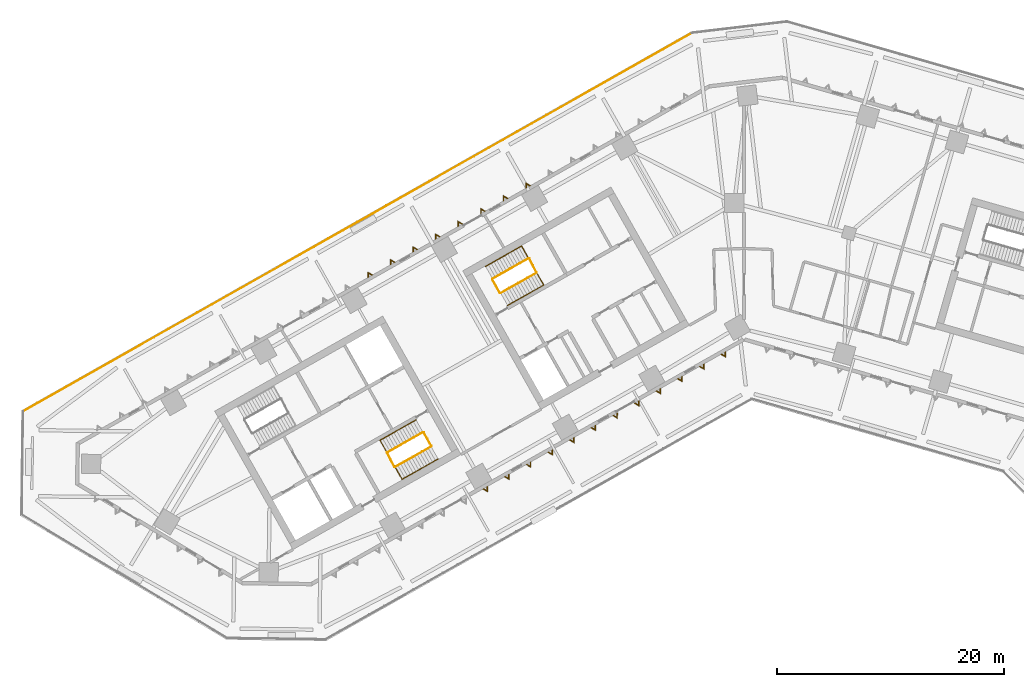
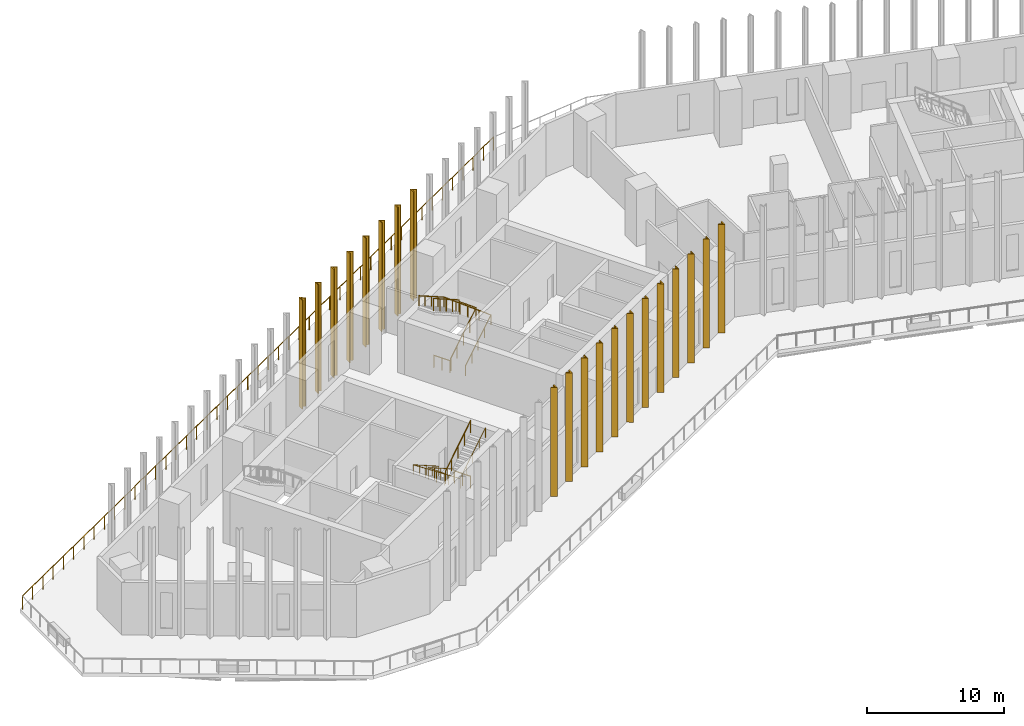
# One storey, part 13 of 17: 20 shading devices, 9 railings.
"""IFC4 building model written with IfcOpenShell, lengths in metres."""

from ifc_helpers import new_model, si_unit, direction, frame, origin, origin_2d, place, context, subcontext, project, spatial, polyline, circle, outline, extrude, material, type_object, element, save


model = new_model("IFC4")

# Units and contexts
model_context = context("Model", 3, precision=1e-05, world=origin(), true_north=direction((0.0, 1.0)))
body_context = subcontext(model_context, "Body", "Model", "MODEL_VIEW")
ifc_project = project(units=[si_unit("LENGTHUNIT", "METRE"), si_unit("AREAUNIT", "SQUARE_METRE"), si_unit("VOLUMEUNIT", "CUBIC_METRE"), si_unit("PLANEANGLEUNIT", "RADIAN"), si_unit("MASSUNIT", "GRAM", prefix="KILO")], contexts=[model_context])

# Site, building, storey
site_placement = place(None, origin())
site = spatial("IfcSite", under=ifc_project, at=site_placement, CompositionType="ELEMENT")
building_placement = place(site_placement, origin())
building = spatial("IfcBuilding", under=site, at=building_placement, Name="Binnacle Exchange Tower", CompositionType="ELEMENT")
storey_placement = place(building_placement, frame((0.0, 0.0, 26.5)))
storey = spatial("IfcBuildingStorey", under=building, at=storey_placement, Name="L05", CompositionType="ELEMENT", Elevation=26.5)

# Railings
ifc_material_1 = material(Name="Bronze anodised aluminium frame", Category="aluminium")
railing_type_1 = type_object("IfcRailingType", Name="GUARD 1200", PredefinedType="GUARDRAIL", material=ifc_material_1)
railing_1_placement = place(storey_placement, frame((-4.585205078125, 74.978271484375, 0.0)))
element("IfcRailing", 1, at=railing_1_placement, inside=storey, type_object=railing_type_1, Name="Terrace guard 4 Terrace P", PredefinedType="GUARDRAIL", context=body_context, shape_type="SweptSolid", body=[
    extrude(circle(Radius=0.02392578125, at=origin_2d()), frame((0.0, 0.0, 1.17578125), z_axis=(-0.870355469995, -0.492423959459, 0.0), x_axis=(0.492423959459, -0.870355469995, 0.0)), (0.0, 0.0, 1.0), 67.6708984375),
    extrude(circle(Radius=0.02099609375, at=origin_2d()), origin(), (0.0, 0.0, 1.0), 1.15185546875),
    extrude(circle(Radius=0.02099609375, at=origin_2d()), frame((-1.2802734375, -0.724365234375, 0.0)), (0.0, 0.0, 1.0), 1.15185546875),
    extrude(circle(Radius=0.02099609375, at=origin_2d()), frame((-2.560791015625, -1.44873046875, 0.0)), (0.0, 0.0, 1.0), 1.15185546875),
    extrude(circle(Radius=0.02099609375, at=origin_2d()), frame((-3.841064453125, -2.17333984375, 0.0)), (0.0, 0.0, 1.0), 1.15185546875),
    extrude(circle(Radius=0.02099609375, at=origin_2d()), frame((-5.12158203125, -2.897705078125, 0.0)), (0.0, 0.0, 1.0), 1.15185546875),
    extrude(circle(Radius=0.02099609375, at=origin_2d()), frame((-6.40185546875, -3.6220703125, 0.0)), (0.0, 0.0, 1.0), 1.15185546875),
    extrude(circle(Radius=0.02099609375, at=origin_2d()), frame((-7.682373046875, -4.346435546875, 0.0)), (0.0, 0.0, 1.0), 1.15185546875),
    extrude(circle(Radius=0.02099609375, at=origin_2d()), frame((-8.962646484375, -5.07080078125, 0.0)), (0.0, 0.0, 1.0), 1.15185546875),
    extrude(circle(Radius=0.02099609375, at=origin_2d()), frame((-10.2431640625, -5.795166015625, 0.0)), (0.0, 0.0, 1.0), 1.15185546875),
    extrude(circle(Radius=0.02099609375, at=origin_2d()), frame((-11.5234375, -6.519775390625, 0.0)), (0.0, 0.0, 1.0), 1.15185546875),
    extrude(circle(Radius=0.02099609375, at=origin_2d()), frame((-12.803955078125, -7.244140625, 0.0)), (0.0, 0.0, 1.0), 1.15185546875),
    extrude(circle(Radius=0.02099609375, at=origin_2d()), frame((-14.084228515625, -7.968505859375, 0.0)), (0.0, 0.0, 1.0), 1.15185546875),
    extrude(circle(Radius=0.02099609375, at=origin_2d()), frame((-15.364501953125, -8.69287109375, 0.0)), (0.0, 0.0, 1.0), 1.15185546875),
    extrude(circle(Radius=0.02099609375, at=origin_2d()), frame((-16.64501953125, -9.417236328125, 0.0)), (0.0, 0.0, 1.0), 1.15185546875),
    extrude(circle(Radius=0.02099609375, at=origin_2d()), frame((-17.92529296875, -10.1416015625, 0.0)), (0.0, 0.0, 1.0), 1.15185546875),
    extrude(circle(Radius=0.02099609375, at=origin_2d()), frame((-19.205810546875, -10.8662109375, 0.0)), (0.0, 0.0, 1.0), 1.15185546875),
    extrude(circle(Radius=0.02099609375, at=origin_2d()), frame((-20.486083984375, -11.590576171875, 0.0)), (0.0, 0.0, 1.0), 1.15185546875),
    extrude(circle(Radius=0.02099609375, at=origin_2d()), frame((-21.7666015625, -12.31494140625, 0.0)), (0.0, 0.0, 1.0), 1.15185546875),
    extrude(circle(Radius=0.02099609375, at=origin_2d()), frame((-23.046875, -13.039306640625, 0.0)), (0.0, 0.0, 1.0), 1.15185546875),
    extrude(circle(Radius=0.02099609375, at=origin_2d()), frame((-24.327392578125, -13.763671875, 0.0)), (0.0, 0.0, 1.0), 1.15185546875),
    extrude(circle(Radius=0.02099609375, at=origin_2d()), frame((-25.607666015625, -14.488037109375, 0.0)), (0.0, 0.0, 1.0), 1.15185546875),
    extrude(circle(Radius=0.02099609375, at=origin_2d()), frame((-26.88818359375, -15.212646484375, 0.0)), (0.0, 0.0, 1.0), 1.15185546875),
    extrude(circle(Radius=0.02099609375, at=origin_2d()), frame((-28.16845703125, -15.93701171875, 0.0)), (0.0, 0.0, 1.0), 1.15185546875),
    extrude(circle(Radius=0.02099609375, at=origin_2d()), frame((-29.44873046875, -16.661376953125, 0.0)), (0.0, 0.0, 1.0), 1.15185546875),
    extrude(circle(Radius=0.02099609375, at=origin_2d()), frame((-30.729248046875, -17.3857421875, 0.0)), (0.0, 0.0, 1.0), 1.15185546875),
    extrude(circle(Radius=0.02099609375, at=origin_2d()), frame((-32.009521484375, -18.110107421875, 0.0)), (0.0, 0.0, 1.0), 1.15185546875),
    extrude(circle(Radius=0.02099609375, at=origin_2d()), frame((-33.2900390625, -18.834716796875, 0.0)), (0.0, 0.0, 1.0), 1.15185546875),
    extrude(circle(Radius=0.02099609375, at=origin_2d()), frame((-34.5703125, -19.55908203125, 0.0)), (0.0, 0.0, 1.0), 1.15185546875),
    extrude(circle(Radius=0.02099609375, at=origin_2d()), frame((-35.850830078125, -20.283447265625, 0.0)), (0.0, 0.0, 1.0), 1.15185546875),
    extrude(circle(Radius=0.02099609375, at=origin_2d()), frame((-37.131103515625, -21.0078125, 0.0)), (0.0, 0.0, 1.0), 1.15185546875),
    extrude(circle(Radius=0.02099609375, at=origin_2d()), frame((-38.41162109375, -21.732177734375, 0.0)), (0.0, 0.0, 1.0), 1.15185546875),
    extrude(circle(Radius=0.02099609375, at=origin_2d()), frame((-39.69189453125, -22.45654296875, 0.0)), (0.0, 0.0, 1.0), 1.15185546875),
    extrude(circle(Radius=0.02099609375, at=origin_2d()), frame((-40.972412109375, -23.18115234375, 0.0)), (0.0, 0.0, 1.0), 1.15185546875),
    extrude(circle(Radius=0.02099609375, at=origin_2d()), frame((-42.252685546875, -23.905517578125, 0.0)), (0.0, 0.0, 1.0), 1.15185546875),
    extrude(circle(Radius=0.02099609375, at=origin_2d()), frame((-43.533203125, -24.6298828125, 0.0)), (0.0, 0.0, 1.0), 1.15185546875),
    extrude(circle(Radius=0.02099609375, at=origin_2d()), frame((-44.8134765625, -25.354248046875, 0.0)), (0.0, 0.0, 1.0), 1.15185546875),
    extrude(circle(Radius=0.02099609375, at=origin_2d()), frame((-46.09375, -26.07861328125, 0.0)), (0.0, 0.0, 1.0), 1.15185546875),
    extrude(circle(Radius=0.02099609375, at=origin_2d()), frame((-47.374267578125, -26.802978515625, 0.0)), (0.0, 0.0, 1.0), 1.15185546875),
    extrude(circle(Radius=0.02099609375, at=origin_2d()), frame((-48.654541015625, -27.527587890625, 0.0)), (0.0, 0.0, 1.0), 1.15185546875),
    extrude(circle(Radius=0.02099609375, at=origin_2d()), frame((-49.93505859375, -28.251953125, 0.0)), (0.0, 0.0, 1.0), 1.15185546875),
    extrude(circle(Radius=0.02099609375, at=origin_2d()), frame((-51.21533203125, -28.976318359375, 0.0)), (0.0, 0.0, 1.0), 1.15185546875),
    extrude(circle(Radius=0.02099609375, at=origin_2d()), frame((-52.495849609375, -29.70068359375, 0.0)), (0.0, 0.0, 1.0), 1.15185546875),
    extrude(circle(Radius=0.02099609375, at=origin_2d()), frame((-53.776123046875, -30.425048828125, 0.0)), (0.0, 0.0, 1.0), 1.15185546875),
    extrude(circle(Radius=0.02099609375, at=origin_2d()), frame((-55.056640625, -31.1494140625, 0.0)), (0.0, 0.0, 1.0), 1.15185546875),
    extrude(circle(Radius=0.02099609375, at=origin_2d()), frame((-56.3369140625, -31.8740234375, 0.0)), (0.0, 0.0, 1.0), 1.15185546875),
    extrude(circle(Radius=0.02099609375, at=origin_2d()), frame((-57.617431640625, -32.598388671875, 0.0)), (0.0, 0.0, 1.0), 1.15185546875),
    extrude(circle(Radius=0.02099609375, at=origin_2d()), frame((-58.897705078125, -33.32275390625, 0.0)), (0.0, 0.0, 1.0), 1.15185546875),
])
ifc_material_2 = material(Name="Steel guard rail", Category="steel")
railing_type_2 = type_object("IfcRailingType", Name="STAIR GUARD 1100", PredefinedType="GUARDRAIL", material=ifc_material_2)
railing_2_placement = place(storey_placement, frame((-28.265380859375, 39.814453125, 0.178466796875)))
element("IfcRailing", 2, at=railing_2_placement, inside=storey, type_object=railing_type_2, Name="L05 STA2 stair guard 1", PredefinedType="GUARDRAIL", context=body_context, shape_type="SweptSolid", body=[
    extrude(circle(Radius=0.02392578125, at=origin_2d()), frame((0.0, 0.0, 1.076171875), z_axis=(-0.733821652932, -0.415174429824, 0.537713654753), x_axis=(0.492421866095, -0.870356654361, 0.0)), (0.0, 0.0, 1.0), 4.3173828125),
    extrude(circle(Radius=0.02392578125, at=origin_2d()), frame((-3.168212890625, -1.79248046875, 3.3974609375), z_axis=(0.461100321709, -0.887348011391, 0.0), x_axis=(0.887348011391, 0.461100321709, 0.0)), (0.0, 0.0, 1.0), 1.40087890625),
    extrude(circle(Radius=0.02099609375, at=origin_2d()), origin(), (0.0, 0.0, 1.0), 1.052001953125),
    extrude(circle(Radius=0.02099609375, at=origin_2d()), frame((-0.7919921875, -0.4482421875, 0.580322265625)), (0.0, 0.0, 1.0), 1.052001953125),
    extrude(circle(Radius=0.02099609375, at=origin_2d()), frame((-1.583984375, -0.896240234375, 1.16064453125)), (0.0, 0.0, 1.0), 1.052001953125),
    extrude(circle(Radius=0.02099609375, at=origin_2d()), frame((-2.376220703125, -1.34423828125, 1.7412109375)), (0.0, 0.0, 1.0), 1.052001953125),
    extrude(circle(Radius=0.02099609375, at=origin_2d()), frame((-3.168212890625, -1.79248046875, 2.321533203125)), (0.0, 0.0, 1.0), 1.052001953125),
    extrude(circle(Radius=0.02099609375, at=origin_2d()), frame((-2.84521484375, -2.4140625, 2.321533203125)), (0.0, 0.0, 1.0), 1.052001953125),
    extrude(circle(Radius=0.02099609375, at=origin_2d()), frame((-2.522216796875, -3.03564453125, 2.321533203125)), (0.0, 0.0, 1.0), 1.052001953125),
])
railing_3_placement = place(storey_placement, frame((-30.719482421875, 36.760009765625, 2.678466796875)))
element("IfcRailing", 3, at=railing_3_placement, inside=storey, type_object=railing_type_2, Name="L05 STA2 stair guard 2", PredefinedType="GUARDRAIL", context=body_context, shape_type="SweptSolid", body=[
    extrude(circle(Radius=0.02392578125, at=origin_2d()), frame((0.0, 0.0, 1.076171875), z_axis=(0.733795554141, 0.415191658331, 0.537735968274), x_axis=(-0.492450612189, 0.870340390052, 0.0)), (0.0, 0.0, 1.0), 4.317138671875),
    extrude(circle(Radius=0.02099609375, at=origin_2d()), origin(), (0.0, 0.0, 1.0), 1.052001953125),
    extrude(circle(Radius=0.02099609375, at=origin_2d()), frame((0.7919921875, 0.4482421875, 0.580322265625)), (0.0, 0.0, 1.0), 1.052001953125),
    extrude(circle(Radius=0.02099609375, at=origin_2d()), frame((1.583984375, 0.896240234375, 1.16064453125)), (0.0, 0.0, 1.0), 1.052001953125),
    extrude(circle(Radius=0.02099609375, at=origin_2d()), frame((2.3759765625, 1.34423828125, 1.7412109375)), (0.0, 0.0, 1.0), 1.052001953125),
    extrude(circle(Radius=0.02099609375, at=origin_2d()), frame((3.16796875, 1.79248046875, 2.321533203125)), (0.0, 0.0, 1.0), 1.052001953125),
])
railing_4_placement = place(storey_placement, frame((-28.197265625, 39.795654296875, 0.0)))
element("IfcRailing", 4, at=railing_4_placement, inside=storey, type_object=railing_type_2, Name="L05 STA2 stair guard 3", PredefinedType="GUARDRAIL", context=body_context, shape_type="SweptSolid", body=[
    extrude(circle(Radius=0.02392578125, at=origin_2d()), frame((0.0, 0.0, 1.076171875), z_axis=(0.49241474071, -0.870360685654, 0.0), x_axis=(0.870360685654, 0.49241474071, 0.0)), (0.0, 0.0, 1.0), 1.35009765625),
    extrude(circle(Radius=0.02099609375, at=origin_2d()), origin(), (0.0, 0.0, 1.0), 1.052001953125),
    extrude(circle(Radius=0.02099609375, at=origin_2d()), frame((0.33251953125, -0.58740234375, 0.0)), (0.0, 0.0, 1.0), 1.052001953125),
    extrude(circle(Radius=0.02099609375, at=origin_2d()), frame((0.664794921875, -1.175048828125, 0.0)), (0.0, 0.0, 1.0), 1.052001953125),
])
railing_5_placement = place(storey_placement, frame((-21.423828125, 52.07275390625, 0.178466796875)))
element("IfcRailing", 5, at=railing_5_placement, inside=storey, type_object=railing_type_2, Name="L05 STC1 stair guard 1", PredefinedType="GUARDRAIL", context=body_context, shape_type="SweptSolid", body=[
    extrude(circle(Radius=0.02392578125, at=origin_2d()), frame((0.0, 0.0, 1.076171875), z_axis=(0.733838880464, 0.415127627455, 0.537726278364), x_axis=(-0.492371057291, 0.870385398511, 0.0)), (0.0, 0.0, 1.0), 4.3173828125),
    extrude(circle(Radius=0.02392578125, at=origin_2d()), frame((3.168212890625, 1.792236328125, 3.3974609375), z_axis=(-0.461100321709, 0.887348011391, 0.0), x_axis=(-0.887348011391, -0.461100321709, 0.0)), (0.0, 0.0, 1.0), 1.40087890625),
    extrude(circle(Radius=0.02099609375, at=origin_2d()), origin(), (0.0, 0.0, 1.0), 1.052001953125),
    extrude(circle(Radius=0.02099609375, at=origin_2d()), frame((0.7919921875, 0.447998046875, 0.580322265625)), (0.0, 0.0, 1.0), 1.052001953125),
    extrude(circle(Radius=0.02099609375, at=origin_2d()), frame((1.583984375, 0.89599609375, 1.16064453125)), (0.0, 0.0, 1.0), 1.052001953125),
    extrude(circle(Radius=0.02099609375, at=origin_2d()), frame((2.376220703125, 1.34423828125, 1.7412109375)), (0.0, 0.0, 1.0), 1.052001953125),
    extrude(circle(Radius=0.02099609375, at=origin_2d()), frame((3.168212890625, 1.792236328125, 2.321533203125)), (0.0, 0.0, 1.0), 1.052001953125),
    extrude(circle(Radius=0.02099609375, at=origin_2d()), frame((2.84521484375, 2.413818359375, 2.321533203125)), (0.0, 0.0, 1.0), 1.052001953125),
    extrude(circle(Radius=0.02099609375, at=origin_2d()), frame((2.522216796875, 3.035400390625, 2.321533203125)), (0.0, 0.0, 1.0), 1.052001953125),
])
railing_6_placement = place(storey_placement, frame((-18.9697265625, 55.126953125, 2.678466796875)))
element("IfcRailing", 6, at=railing_6_placement, inside=storey, type_object=railing_type_2, Name="L05 STC1 stair guard 2", PredefinedType="GUARDRAIL", context=body_context, shape_type="SweptSolid", body=[
    extrude(circle(Radius=0.02392578125, at=origin_2d()), frame((0.0, 0.0, 1.076171875), z_axis=(-0.733812782489, -0.415144854829, 0.537748593457), x_axis=(0.492399802317, -0.870369137021, 0.0)), (0.0, 0.0, 1.0), 4.317138671875),
    extrude(circle(Radius=0.02099609375, at=origin_2d()), origin(), (0.0, 0.0, 1.0), 1.052001953125),
    extrude(circle(Radius=0.02099609375, at=origin_2d()), frame((-0.7919921875, -0.447998046875, 0.580322265625)), (0.0, 0.0, 1.0), 1.052001953125),
    extrude(circle(Radius=0.02099609375, at=origin_2d()), frame((-1.583984375, -0.89599609375, 1.16064453125)), (0.0, 0.0, 1.0), 1.052001953125),
    extrude(circle(Radius=0.02099609375, at=origin_2d()), frame((-2.3759765625, -1.34423828125, 1.7412109375)), (0.0, 0.0, 1.0), 1.052001953125),
    extrude(circle(Radius=0.02099609375, at=origin_2d()), frame((-3.16796875, -1.792236328125, 2.321533203125)), (0.0, 0.0, 1.0), 1.052001953125),
])
railing_7_placement = place(storey_placement, frame((-21.491943359375, 52.091552734375, 0.0)))
element("IfcRailing", 7, at=railing_7_placement, inside=storey, type_object=railing_type_2, Name="L05 STC1 stair guard 3", PredefinedType="GUARDRAIL", context=body_context, shape_type="SweptSolid", body=[
    extrude(circle(Radius=0.02392578125, at=origin_2d()), frame((0.0, 0.0, 1.076171875), z_axis=(-0.49241474071, 0.870360685654, 0.0), x_axis=(-0.870360685654, -0.49241474071, 0.0)), (0.0, 0.0, 1.0), 1.35009765625),
    extrude(circle(Radius=0.02099609375, at=origin_2d()), origin(), (0.0, 0.0, 1.0), 1.052001953125),
    extrude(circle(Radius=0.02099609375, at=origin_2d()), frame((-0.33251953125, 0.58740234375, 0.0)), (0.0, 0.0, 1.0), 1.052001953125),
    extrude(circle(Radius=0.02099609375, at=origin_2d()), frame((-0.664794921875, 1.175048828125, 0.0)), (0.0, 0.0, 1.0), 1.052001953125),
])
ifc_material_3 = material(Name="Steel handrail", Category="steel")
railing_type_3 = type_object("IfcRailingType", Name="STAIR HANDRAIL 900", PredefinedType="HANDRAIL", material=ifc_material_3)
railing_8_placement = place(storey_placement, frame((-28.880859375, 40.90234375, 0.178466796875)))
element("IfcRailing", 8, at=railing_8_placement, inside=storey, type_object=railing_type_3, Name="L05 STA2 stair handrail 1", PredefinedType="HANDRAIL", context=body_context, shape_type="SweptSolid", body=[
    extrude(circle(Radius=0.02392578125, at=origin_2d()), frame((0.0, 0.0, 0.8759765625), z_axis=(-0.733838880464, -0.415127627455, 0.537726278364), x_axis=(0.492371057291, -0.870385398511, 0.0)), (0.0, 0.0, 1.0), 4.3173828125),
    extrude(circle(Radius=0.02392578125, at=origin_2d()), frame((-3.168212890625, -1.792236328125, 3.197265625), z_axis=(0.491911810019, -0.86947434526, 0.045134621956), x_axis=(0.870361318571, 0.492413622004, 0.0)), (0.0, 0.0, 1.0), 3.9541015625),
    extrude(circle(Radius=0.02392578125, at=origin_2d()), frame((-1.22314453125, -5.230224609375, 3.3759765625), z_axis=(0.733821652932, 0.415174429824, 0.537713654753), x_axis=(-0.492421866095, 0.870356654361, 0.0)), (0.0, 0.0, 1.0), 4.3173828125),
    extrude(circle(Radius=0.02099609375, at=origin_2d()), origin(), (0.0, 0.0, 1.0), 0.851806640625),
    extrude(circle(Radius=0.02099609375, at=origin_2d()), frame((-0.7919921875, -0.447998046875, 0.580322265625)), (0.0, 0.0, 1.0), 0.851806640625),
    extrude(circle(Radius=0.02099609375, at=origin_2d()), frame((-1.583984375, -0.89599609375, 1.16064453125)), (0.0, 0.0, 1.0), 0.851806640625),
    extrude(circle(Radius=0.02099609375, at=origin_2d()), frame((-2.376220703125, -1.34423828125, 1.7412109375)), (0.0, 0.0, 1.0), 0.851806640625),
    extrude(circle(Radius=0.02099609375, at=origin_2d()), frame((-3.168212890625, -1.792236328125, 2.321533203125)), (0.0, 0.0, 1.0), 0.851806640625),
    extrude(circle(Radius=0.02099609375, at=origin_2d()), frame((-2.681884765625, -2.65185546875, 2.3662109375)), (0.0, 0.0, 1.0), 0.851806640625),
    extrude(circle(Radius=0.02099609375, at=origin_2d()), frame((-2.19580078125, -3.51123046875, 2.41064453125)), (0.0, 0.0, 1.0), 0.851806640625),
    extrude(circle(Radius=0.02099609375, at=origin_2d()), frame((-1.70947265625, -4.37060546875, 2.455322265625)), (0.0, 0.0, 1.0), 0.851806640625),
    extrude(circle(Radius=0.02099609375, at=origin_2d()), frame((-1.22314453125, -5.230224609375, 2.5)), (0.0, 0.0, 1.0), 0.851806640625),
    extrude(circle(Radius=0.02099609375, at=origin_2d()), frame((-0.43115234375, -4.7822265625, 3.080322265625)), (0.0, 0.0, 1.0), 0.851806640625),
    extrude(circle(Radius=0.02099609375, at=origin_2d()), frame((0.36083984375, -4.333984375, 3.66064453125)), (0.0, 0.0, 1.0), 0.851806640625),
    extrude(circle(Radius=0.02099609375, at=origin_2d()), frame((1.153076171875, -3.8857421875, 4.2412109375)), (0.0, 0.0, 1.0), 0.851806640625),
    extrude(circle(Radius=0.02099609375, at=origin_2d()), frame((1.945068359375, -3.437744140625, 4.821533203125)), (0.0, 0.0, 1.0), 0.851806640625),
])
railing_9_placement = place(storey_placement, frame((-20.808349609375, 50.984619140625, 0.178466796875)))
element("IfcRailing", 9, at=railing_9_placement, inside=storey, type_object=railing_type_3, Name="L05 STC1 stair handrail 1", PredefinedType="HANDRAIL", context=body_context, shape_type="SweptSolid", body=[
    extrude(circle(Radius=0.02392578125, at=origin_2d()), frame((0.0, 0.0, 0.8759765625), z_axis=(0.733821652932, 0.415174429824, 0.537713654753), x_axis=(-0.492421866095, 0.870356654361, 0.0)), (0.0, 0.0, 1.0), 4.3173828125),
    extrude(circle(Radius=0.02392578125, at=origin_2d()), frame((3.168212890625, 1.79248046875, 3.197265625), z_axis=(-0.491911810019, 0.86947434526, 0.045134621956), x_axis=(-0.870361318571, -0.492413622004, 0.0)), (0.0, 0.0, 1.0), 3.9541015625),
    extrude(circle(Radius=0.02392578125, at=origin_2d()), frame((1.22314453125, 5.23046875, 3.3759765625), z_axis=(-0.733821652932, -0.415174429824, 0.537713654753), x_axis=(0.492421866095, -0.870356654361, 0.0)), (0.0, 0.0, 1.0), 4.3173828125),
    extrude(circle(Radius=0.02099609375, at=origin_2d()), origin(), (0.0, 0.0, 1.0), 0.851806640625),
    extrude(circle(Radius=0.02099609375, at=origin_2d()), frame((0.7919921875, 0.4482421875, 0.580322265625)), (0.0, 0.0, 1.0), 0.851806640625),
    extrude(circle(Radius=0.02099609375, at=origin_2d()), frame((1.583984375, 0.896240234375, 1.16064453125)), (0.0, 0.0, 1.0), 0.851806640625),
    extrude(circle(Radius=0.02099609375, at=origin_2d()), frame((2.376220703125, 1.34423828125, 1.7412109375)), (0.0, 0.0, 1.0), 0.851806640625),
    extrude(circle(Radius=0.02099609375, at=origin_2d()), frame((3.168212890625, 1.79248046875, 2.321533203125)), (0.0, 0.0, 1.0), 0.851806640625),
    extrude(circle(Radius=0.02099609375, at=origin_2d()), frame((2.681884765625, 2.65185546875, 2.3662109375)), (0.0, 0.0, 1.0), 0.851806640625),
    extrude(circle(Radius=0.02099609375, at=origin_2d()), frame((2.19580078125, 3.511474609375, 2.41064453125)), (0.0, 0.0, 1.0), 0.851806640625),
    extrude(circle(Radius=0.02099609375, at=origin_2d()), frame((1.70947265625, 4.37109375, 2.455322265625)), (0.0, 0.0, 1.0), 0.851806640625),
    extrude(circle(Radius=0.02099609375, at=origin_2d()), frame((1.22314453125, 5.23046875, 2.5)), (0.0, 0.0, 1.0), 0.851806640625),
    extrude(circle(Radius=0.02099609375, at=origin_2d()), frame((0.43115234375, 4.7822265625, 3.080322265625)), (0.0, 0.0, 1.0), 0.851806640625),
    extrude(circle(Radius=0.02099609375, at=origin_2d()), frame((-0.36083984375, 4.334228515625, 3.66064453125)), (0.0, 0.0, 1.0), 0.851806640625),
    extrude(circle(Radius=0.02099609375, at=origin_2d()), frame((-1.153076171875, 3.88623046875, 4.2412109375)), (0.0, 0.0, 1.0), 0.851806640625),
    extrude(circle(Radius=0.02099609375, at=origin_2d()), frame((-1.945068359375, 3.43798828125, 4.821533203125)), (0.0, 0.0, 1.0), 0.851806640625),
])

# Shading devices
ifc_material_4 = material(Name="Bronze aluminium cladding", Category="aluminium")
shading_device_type = type_object("IfcShadingDeviceType", Name="V FIN 433 DEEP x 9680 HIGH", PredefinedType="USERDEFINED", material=ifc_material_4)
shading_device_1_placement = place(storey_placement, origin())
element("IfcShadingDevice", 10, at=shading_device_1_placement, inside=storey, type_object=shading_device_type, Name="V fin FN-F03-08 L05", ObjectType="FIN", PredefinedType="USERDEFINED", context=body_context, shape_type="SweptSolid", body=[
    extrude(outline(polyline([(-18.794921875, 61.53857421875), (-19.2255859375, 61.79248046875), (-19.22998046875, 61.29248046875), (-19.149658203125, 61.337890625), (-19.14697265625, 61.653076171875), (-18.875244140625, 61.4931640625), (-18.794921875, 61.53857421875)])), origin(), (0.0, 0.0, 1.0), 9.679931640625),
])
shading_device_2_placement = place(storey_placement, origin())
element("IfcShadingDevice", 11, at=shading_device_2_placement, inside=storey, type_object=shading_device_type, Name="V fin FN-F03-09 L05", ObjectType="FIN", PredefinedType="USERDEFINED", context=body_context, shape_type="SweptSolid", body=[
    extrude(outline(polyline([(-20.781494140625, 60.414794921875), (-21.21240234375, 60.66845703125), (-21.216796875, 60.16845703125), (-21.13623046875, 60.214111328125), (-21.133544921875, 60.529296875), (-20.86181640625, 60.369140625), (-20.781494140625, 60.414794921875)])), origin(), (0.0, 0.0, 1.0), 9.679931640625),
])
shading_device_3_placement = place(storey_placement, origin())
element("IfcShadingDevice", 12, at=shading_device_3_placement, inside=storey, type_object=shading_device_type, Name="V fin FN-F03-10 L05", ObjectType="FIN", PredefinedType="USERDEFINED", context=body_context, shape_type="SweptSolid", body=[
    extrude(outline(polyline([(-22.76806640625, 59.290771484375), (-23.19873046875, 59.544677734375), (-23.203125, 59.044677734375), (-23.122802734375, 59.090087890625), (-23.1201171875, 59.4052734375), (-22.848388671875, 59.245361328125), (-22.76806640625, 59.290771484375)])), origin(), (0.0, 0.0, 1.0), 9.679931640625),
])
shading_device_4_placement = place(storey_placement, origin())
element("IfcShadingDevice", 13, at=shading_device_4_placement, inside=storey, type_object=shading_device_type, Name="V fin FN-F03-11 L05", ObjectType="FIN", PredefinedType="USERDEFINED", context=body_context, shape_type="SweptSolid", body=[
    extrude(outline(polyline([(-24.754638671875, 58.166748046875), (-25.185302734375, 58.420654296875), (-25.189697265625, 57.920654296875), (-25.109375, 57.966064453125), (-25.106689453125, 58.28125), (-24.8349609375, 58.121337890625), (-24.754638671875, 58.166748046875)])), origin(), (0.0, 0.0, 1.0), 9.679931640625),
])
shading_device_5_placement = place(storey_placement, origin())
element("IfcShadingDevice", 14, at=shading_device_5_placement, inside=storey, type_object=shading_device_type, Name="V fin FN-F03-12 L05", ObjectType="FIN", PredefinedType="USERDEFINED", context=body_context, shape_type="SweptSolid", body=[
    extrude(outline(polyline([(-26.7412109375, 57.04296875), (-27.172119140625, 57.296630859375), (-27.176513671875, 56.796630859375), (-27.095947265625, 56.84228515625), (-27.09326171875, 57.157470703125), (-26.821533203125, 56.997314453125), (-26.7412109375, 57.04296875)])), origin(), (0.0, 0.0, 1.0), 9.679931640625),
])
shading_device_6_placement = place(storey_placement, origin())
element("IfcShadingDevice", 15, at=shading_device_6_placement, inside=storey, type_object=shading_device_type, Name="V fin FN-F03-13 L05", ObjectType="FIN", PredefinedType="USERDEFINED", context=body_context, shape_type="SweptSolid", body=[
    extrude(outline(polyline([(-28.727783203125, 55.9189453125), (-29.158447265625, 56.172607421875), (-29.162841796875, 55.672607421875), (-29.08251953125, 55.71826171875), (-29.07958984375, 56.033447265625), (-28.80810546875, 55.873291015625), (-28.727783203125, 55.9189453125)])), origin(), (0.0, 0.0, 1.0), 9.679931640625),
])
shading_device_7_placement = place(storey_placement, origin())
element("IfcShadingDevice", 16, at=shading_device_7_placement, inside=storey, type_object=shading_device_type, Name="V fin FN-F03-14 L05", ObjectType="FIN", PredefinedType="USERDEFINED", context=body_context, shape_type="SweptSolid", body=[
    extrude(outline(polyline([(-30.71435546875, 54.794921875), (-31.14501953125, 55.048828125), (-31.1494140625, 54.548828125), (-31.069091796875, 54.59423828125), (-31.06640625, 54.909423828125), (-30.794677734375, 54.74951171875), (-30.71435546875, 54.794921875)])), origin(), (0.0, 0.0, 1.0), 9.679931640625),
])
shading_device_8_placement = place(storey_placement, origin())
element("IfcShadingDevice", 17, at=shading_device_8_placement, inside=storey, type_object=shading_device_type, Name="V fin FN-F03-15 L05", ObjectType="FIN", PredefinedType="USERDEFINED", context=body_context, shape_type="SweptSolid", body=[
    extrude(outline(polyline([(-32.70068359375, 53.6708984375), (-33.131591796875, 53.9248046875), (-33.135986328125, 53.4248046875), (-33.0556640625, 53.47021484375), (-33.052734375, 53.785400390625), (-32.78125, 53.62548828125), (-32.70068359375, 53.6708984375)])), origin(), (0.0, 0.0, 1.0), 9.679931640625),
])
shading_device_9_placement = place(storey_placement, origin())
element("IfcShadingDevice", 18, at=shading_device_9_placement, inside=storey, type_object=shading_device_type, Name="V fin FN-F07-08 L05", ObjectType="FIN", PredefinedType="USERDEFINED", context=body_context, shape_type="SweptSolid", body=[
    extrude(outline(polyline([(-23.00244140625, 34.8134765625), (-22.571533203125, 34.559814453125), (-22.567138671875, 35.059814453125), (-22.647705078125, 35.01416015625), (-22.650390625, 34.698974609375), (-22.922119140625, 34.85888671875), (-23.00244140625, 34.8134765625)])), origin(), (0.0, 0.0, 1.0), 9.679931640625),
])
shading_device_10_placement = place(storey_placement, origin())
element("IfcShadingDevice", 19, at=shading_device_10_placement, inside=storey, type_object=shading_device_type, Name="V fin FN-F07-09 L05", ObjectType="FIN", PredefinedType="USERDEFINED", context=body_context, shape_type="SweptSolid", body=[
    extrude(outline(polyline([(-21.097412109375, 35.891357421875), (-20.666748046875, 35.637451171875), (-20.662353515625, 36.137451171875), (-20.74267578125, 36.092041015625), (-20.74560546875, 35.77685546875), (-21.01708984375, 35.936767578125), (-21.097412109375, 35.891357421875)])), origin(), (0.0, 0.0, 1.0), 9.679931640625),
])
shading_device_11_placement = place(storey_placement, origin())
element("IfcShadingDevice", 20, at=shading_device_11_placement, inside=storey, type_object=shading_device_type, Name="V fin FN-F07-10 L05", ObjectType="FIN", PredefinedType="USERDEFINED", context=body_context, shape_type="SweptSolid", body=[
    extrude(outline(polyline([(-19.192626953125, 36.968994140625), (-18.76171875, 36.715087890625), (-18.75732421875, 37.215087890625), (-18.837890625, 37.169677734375), (-18.840576171875, 36.8544921875), (-19.1123046875, 37.014404296875), (-19.192626953125, 36.968994140625)])), origin(), (0.0, 0.0, 1.0), 9.679931640625),
])
shading_device_12_placement = place(storey_placement, origin())
element("IfcShadingDevice", 21, at=shading_device_12_placement, inside=storey, type_object=shading_device_type, Name="V fin FN-F07-11 L05", ObjectType="FIN", PredefinedType="USERDEFINED", context=body_context, shape_type="SweptSolid", body=[
    extrude(outline(polyline([(-17.28759765625, 38.046875), (-16.85693359375, 37.79296875), (-16.8525390625, 38.29296875), (-16.932861328125, 38.24755859375), (-16.935791015625, 37.932373046875), (-17.207275390625, 38.09228515625), (-17.28759765625, 38.046875)])), origin(), (0.0, 0.0, 1.0), 9.679931640625),
])
shading_device_13_placement = place(storey_placement, origin())
element("IfcShadingDevice", 22, at=shading_device_13_placement, inside=storey, type_object=shading_device_type, Name="V fin FN-F07-12 L05", ObjectType="FIN", PredefinedType="USERDEFINED", context=body_context, shape_type="SweptSolid", body=[
    extrude(outline(polyline([(-15.3828125, 39.12451171875), (-14.9521484375, 38.87060546875), (-14.94775390625, 39.37060546875), (-15.028076171875, 39.3251953125), (-15.031005859375, 39.010009765625), (-15.302490234375, 39.169921875), (-15.3828125, 39.12451171875)])), origin(), (0.0, 0.0, 1.0), 9.679931640625),
])
shading_device_14_placement = place(storey_placement, origin())
element("IfcShadingDevice", 23, at=shading_device_14_placement, inside=storey, type_object=shading_device_type, Name="V fin FN-F07-13 L05", ObjectType="FIN", PredefinedType="USERDEFINED", context=body_context, shape_type="SweptSolid", body=[
    extrude(outline(polyline([(-13.477783203125, 40.2021484375), (-13.047119140625, 39.948486328125), (-13.042724609375, 40.448486328125), (-13.123046875, 40.40283203125), (-13.1259765625, 40.087646484375), (-13.3974609375, 40.247802734375), (-13.477783203125, 40.2021484375)])), origin(), (0.0, 0.0, 1.0), 9.679931640625),
])
shading_device_15_placement = place(storey_placement, origin())
element("IfcShadingDevice", 24, at=shading_device_15_placement, inside=storey, type_object=shading_device_type, Name="V fin FN-F07-14 L05", ObjectType="FIN", PredefinedType="USERDEFINED", context=body_context, shape_type="SweptSolid", body=[
    extrude(outline(polyline([(-11.572998046875, 41.280029296875), (-11.14208984375, 41.026123046875), (-11.1376953125, 41.526123046875), (-11.21826171875, 41.480712890625), (-11.220947265625, 41.16552734375), (-11.49267578125, 41.325439453125), (-11.572998046875, 41.280029296875)])), origin(), (0.0, 0.0, 1.0), 9.679931640625),
])
shading_device_16_placement = place(storey_placement, origin())
element("IfcShadingDevice", 25, at=shading_device_16_placement, inside=storey, type_object=shading_device_type, Name="V fin FN-F07-15 L05", ObjectType="FIN", PredefinedType="USERDEFINED", context=body_context, shape_type="SweptSolid", body=[
    extrude(outline(polyline([(-9.668212890625, 42.357666015625), (-9.2373046875, 42.10400390625), (-9.23291015625, 42.60400390625), (-9.3134765625, 42.558349609375), (-9.316162109375, 42.2431640625), (-9.587890625, 42.4033203125), (-9.668212890625, 42.357666015625)])), origin(), (0.0, 0.0, 1.0), 9.679931640625),
])
shading_device_17_placement = place(storey_placement, origin())
element("IfcShadingDevice", 26, at=shading_device_17_placement, inside=storey, type_object=shading_device_type, Name="V fin FN-F07-16 L05", ObjectType="FIN", PredefinedType="USERDEFINED", context=body_context, shape_type="SweptSolid", body=[
    extrude(outline(polyline([(-7.76318359375, 43.435302734375), (-7.33251953125, 43.181640625), (-7.327880859375, 43.681640625), (-7.408447265625, 43.635986328125), (-7.4111328125, 43.32080078125), (-7.682861328125, 43.48095703125), (-7.76318359375, 43.435302734375)])), origin(), (0.0, 0.0, 1.0), 9.679931640625),
])
shading_device_18_placement = place(storey_placement, origin())
element("IfcShadingDevice", 27, at=shading_device_18_placement, inside=storey, type_object=shading_device_type, Name="V fin FN-F07-17 L05", ObjectType="FIN", PredefinedType="USERDEFINED", context=body_context, shape_type="SweptSolid", body=[
    extrude(outline(polyline([(-5.8583984375, 44.51318359375), (-5.427490234375, 44.259521484375), (-5.423095703125, 44.759521484375), (-5.503662109375, 44.7138671875), (-5.50634765625, 44.398681640625), (-5.778076171875, 44.55859375), (-5.8583984375, 44.51318359375)])), origin(), (0.0, 0.0, 1.0), 9.679931640625),
])
shading_device_19_placement = place(storey_placement, origin())
element("IfcShadingDevice", 28, at=shading_device_19_placement, inside=storey, type_object=shading_device_type, Name="V fin FN-F07-18 L05", ObjectType="FIN", PredefinedType="USERDEFINED", context=body_context, shape_type="SweptSolid", body=[
    extrude(outline(polyline([(-3.95361328125, 45.5908203125), (-3.522705078125, 45.337158203125), (-3.518310546875, 45.837158203125), (-3.5986328125, 45.79150390625), (-3.6015625, 45.476318359375), (-3.873046875, 45.636474609375), (-3.95361328125, 45.5908203125)])), origin(), (0.0, 0.0, 1.0), 9.679931640625),
])
shading_device_20_placement = place(storey_placement, origin())
element("IfcShadingDevice", 29, at=shading_device_20_placement, inside=storey, type_object=shading_device_type, Name="V fin FN-F07-19 L05", ObjectType="FIN", PredefinedType="USERDEFINED", context=body_context, shape_type="SweptSolid", body=[
    extrude(outline(polyline([(-2.048583984375, 46.668701171875), (-1.617919921875, 46.414794921875), (-1.61328125, 46.914794921875), (-1.69384765625, 46.869384765625), (-1.696533203125, 46.55419921875), (-1.96826171875, 46.714111328125), (-2.048583984375, 46.668701171875)])), origin(), (0.0, 0.0, 1.0), 9.679931640625),
])

save(model, "model.ifc")
